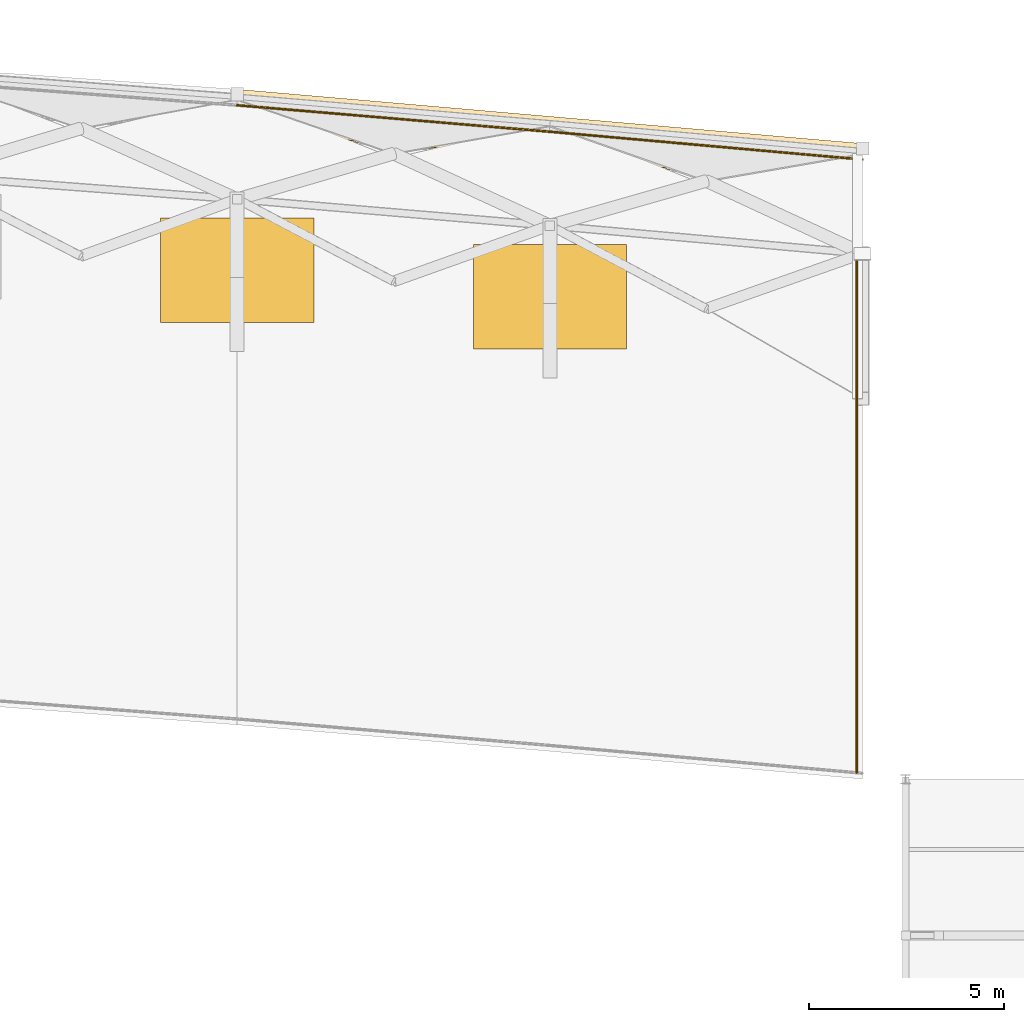
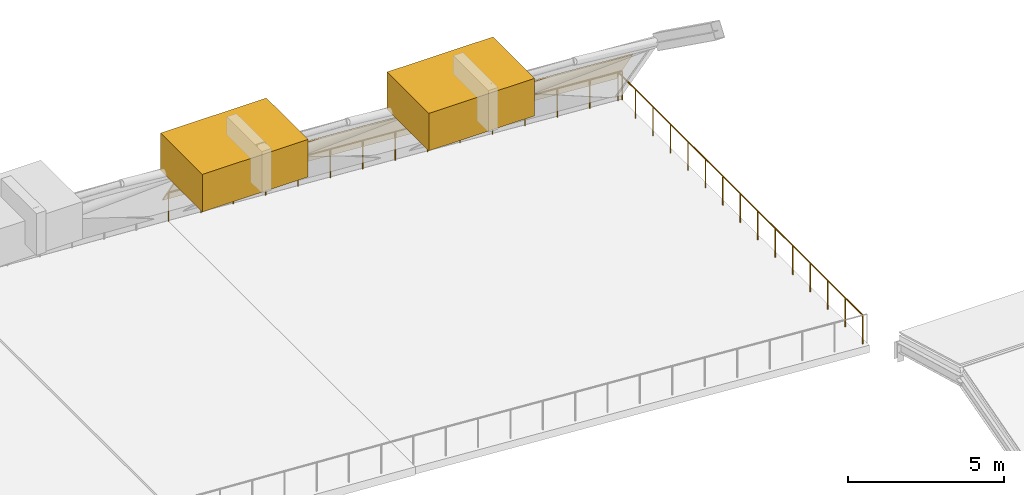
# One storey, part 67 of 67: 2 railings, 2 shading devices, 1 covering.
"""IFC4 building model written with IfcOpenShell, lengths in metres."""

from ifc_helpers import new_model, si_unit, direction, frame, origin, origin_2d, place, context, subcontext, project, spatial, polyline, rectangle, circle, outline, extrude, material, layer, layer_set, type_object, element, save


model = new_model("IFC4")

# Units and contexts
model_context = context("Model", 3, precision=1e-05, world=origin(), true_north=direction((0.0, 1.0)))
body_context = subcontext(model_context, "Body", "Model", "MODEL_VIEW")
ifc_project = project(units=[si_unit("LENGTHUNIT", "METRE"), si_unit("AREAUNIT", "SQUARE_METRE"), si_unit("VOLUMEUNIT", "CUBIC_METRE"), si_unit("PLANEANGLEUNIT", "RADIAN"), si_unit("MASSUNIT", "GRAM", prefix="KILO")], contexts=[model_context])

# Site, building, storey
site_placement = place(None, origin())
site = spatial("IfcSite", under=ifc_project, at=site_placement, CompositionType="ELEMENT")
building_placement = place(site_placement, origin())
building = spatial("IfcBuilding", under=site, at=building_placement, Name="Kenh Van Central Station", CompositionType="ELEMENT")
storey_placement = place(building_placement, frame((0.0, 0.0, 10.800048828125)))
storey = spatial("IfcBuildingStorey", under=building, at=storey_placement, Name="L02", CompositionType="ELEMENT", Elevation=10.800048828125)

# Covering
ifc_material_1 = material(Name="Standing-seam zinc-aluminium roofing", Category="aluminium")
ifc_layer = layer(ifc_material_1, 0.044921875, Name="Standing-seam zinc-aluminium roofing")
ifc_layer_set = layer_set([ifc_layer], Name="Standing-seam zinc-aluminium roofing")
covering_type = type_object("IfcCoveringType", Name="COV-ROOF-SEAM", PredefinedType="ROOFING", material=ifc_layer_set)
covering_placement = place(storey_placement, frame((128.0, 112.5927734375, 2.193603515625), z_axis=(0.071946943803, 0.829104081069, 0.554445723251), x_axis=(0.996256030684, -0.086451843971, 0.0)))
element("IfcCovering", 1, at=covering_placement, inside=storey, type_object=covering_type, Name="Train shed springing curb roofing N7", PredefinedType="ROOFING", context=body_context, shape_type="SweptSolid", body=[
    extrude(outline(polyline([(0.0, 0.0), (16.06012862879939, -1.1102230246251565e-16), (15.968864523982095, 1.896870414067549), (-0.09126410481729474, 1.896870414067549), (0.0, 0.0)])), origin(), (0.0, 0.0, -1.0), 0.044921875),
])

# Railings
ifc_material_2 = material(Name="Champagne anodised aluminium", Category="aluminium")
railing_type = type_object("IfcRailingType", Name="RAIL-TERR-GRD115", PredefinedType="GUARDRAIL", material=ifc_material_2)
railing_1_placement = place(storey_placement, frame((128.0, 113.23828125, 0.0)))
element("IfcRailing", 2, at=railing_1_placement, inside=storey, type_object=railing_type, Name="L02 platform perimeter guardrail 28", PredefinedType="GUARDRAIL", context=body_context, shape_type="SweptSolid", body=[
    extrude(circle(Radius=0.02392578125, at=origin_2d()), frame((0.0, 0.0, 1.1259765625), z_axis=(0.996446063383, -0.084233264025, 0.0), x_axis=(0.084233264025, 0.996446063383, 0.0)), (0.0, 0.0, 1.0), 8.028564453125),
    extrude(circle(Radius=0.02392578125, at=origin_2d()), frame((8.0, -0.67626953125, 1.1259765625), z_axis=(0.996063818854, -0.088638979974, 0.0), x_axis=(0.088638979974, 0.996063818854, 0.0)), (0.0, 0.0, 1.0), 8.031494140625),
    extrude(circle(Radius=0.02099609375, at=origin_2d()), origin(), (0.0, 0.0, 1.0), 1.101806640625),
    extrude(circle(Radius=0.02099609375, at=origin_2d()), frame((1.142822265625, -0.0966796875, 0.0)), (0.0, 0.0, 1.0), 1.101806640625),
    extrude(circle(Radius=0.02099609375, at=origin_2d()), frame((2.28564453125, -0.193115234375, 0.0)), (0.0, 0.0, 1.0), 1.101806640625),
    extrude(circle(Radius=0.02099609375, at=origin_2d()), frame((3.428466796875, -0.289794921875, 0.0)), (0.0, 0.0, 1.0), 1.101806640625),
    extrude(circle(Radius=0.02099609375, at=origin_2d()), frame((4.571533203125, -0.386474609375, 0.0)), (0.0, 0.0, 1.0), 1.101806640625),
    extrude(circle(Radius=0.02099609375, at=origin_2d()), frame((5.71435546875, -0.483154296875, 0.0)), (0.0, 0.0, 1.0), 1.101806640625),
    extrude(circle(Radius=0.02099609375, at=origin_2d()), frame((6.857177734375, -0.57958984375, 0.0)), (0.0, 0.0, 1.0), 1.101806640625),
    extrude(circle(Radius=0.02099609375, at=origin_2d()), frame((8.0, -0.67626953125, 0.0)), (0.0, 0.0, 1.0), 1.101806640625),
    extrude(circle(Radius=0.02099609375, at=origin_2d()), frame((9.142822265625, -0.778076171875, 0.0)), (0.0, 0.0, 1.0), 1.101806640625),
    extrude(circle(Radius=0.02099609375, at=origin_2d()), frame((10.28564453125, -0.879638671875, 0.0)), (0.0, 0.0, 1.0), 1.101806640625),
    extrude(circle(Radius=0.02099609375, at=origin_2d()), frame((11.428466796875, -0.9814453125, 0.0)), (0.0, 0.0, 1.0), 1.101806640625),
    extrude(circle(Radius=0.02099609375, at=origin_2d()), frame((12.571533203125, -1.0830078125, 0.0)), (0.0, 0.0, 1.0), 1.101806640625),
    extrude(circle(Radius=0.02099609375, at=origin_2d()), frame((13.71435546875, -1.184814453125, 0.0)), (0.0, 0.0, 1.0), 1.101806640625),
    extrude(circle(Radius=0.02099609375, at=origin_2d()), frame((14.857177734375, -1.286376953125, 0.0)), (0.0, 0.0, 1.0), 1.101806640625),
    extrude(circle(Radius=0.02099609375, at=origin_2d()), frame((16.0, -1.38818359375, 0.0)), (0.0, 0.0, 1.0), 1.101806640625),
])
railing_2_placement = place(storey_placement, frame((143.85009765625, 96.16357421875, 0.0)))
element("IfcRailing", 3, at=railing_2_placement, inside=storey, type_object=railing_type, Name="L02 platform end guardrail 32", PredefinedType="GUARDRAIL", context=body_context, shape_type="SweptSolid", body=[
    extrude(circle(Radius=0.02392578125, at=origin_2d()), frame((0.0, 0.0, 1.1259765625), z_axis=(0.0, 1.0, 0.0), x_axis=(-1.0, 0.0, 0.0)), (0.0, 0.0, 1.0), 15.699951171875),
    extrude(circle(Radius=0.02099609375, at=origin_2d()), origin(), (0.0, 0.0, 1.0), 1.101806640625),
    extrude(circle(Radius=0.02099609375, at=origin_2d()), frame((0.0, 1.121337890625, 0.0)), (0.0, 0.0, 1.0), 1.101806640625),
    extrude(circle(Radius=0.02099609375, at=origin_2d()), frame((0.0, 2.242919921875, 0.0)), (0.0, 0.0, 1.0), 1.101806640625),
    extrude(circle(Radius=0.02099609375, at=origin_2d()), frame((0.0, 3.3642578125, 0.0)), (0.0, 0.0, 1.0), 1.101806640625),
    extrude(circle(Radius=0.02099609375, at=origin_2d()), frame((0.0, 4.485595703125, 0.0)), (0.0, 0.0, 1.0), 1.101806640625),
    extrude(circle(Radius=0.02099609375, at=origin_2d()), frame((0.0, 5.607177734375, 0.0)), (0.0, 0.0, 1.0), 1.101806640625),
    extrude(circle(Radius=0.02099609375, at=origin_2d()), frame((0.0, 6.728515625, 0.0)), (0.0, 0.0, 1.0), 1.101806640625),
    extrude(circle(Radius=0.02099609375, at=origin_2d()), frame((0.0, 7.85009765625, 0.0)), (0.0, 0.0, 1.0), 1.101806640625),
    extrude(circle(Radius=0.02099609375, at=origin_2d()), frame((0.0, 8.971435546875, 0.0)), (0.0, 0.0, 1.0), 1.101806640625),
    extrude(circle(Radius=0.02099609375, at=origin_2d()), frame((0.0, 10.0927734375, 0.0)), (0.0, 0.0, 1.0), 1.101806640625),
    extrude(circle(Radius=0.02099609375, at=origin_2d()), frame((0.0, 11.21435546875, 0.0)), (0.0, 0.0, 1.0), 1.101806640625),
    extrude(circle(Radius=0.02099609375, at=origin_2d()), frame((0.0, 12.335693359375, 0.0)), (0.0, 0.0, 1.0), 1.101806640625),
    extrude(circle(Radius=0.02099609375, at=origin_2d()), frame((0.0, 13.45703125, 0.0)), (0.0, 0.0, 1.0), 1.101806640625),
    extrude(circle(Radius=0.02099609375, at=origin_2d()), frame((0.0, 14.57861328125, 0.0)), (0.0, 0.0, 1.0), 1.101806640625),
    extrude(circle(Radius=0.02099609375, at=origin_2d()), frame((0.0, 15.699951171875, 0.0)), (0.0, 0.0, 1.0), 1.101806640625),
])

# Shading devices
shading_device_type = type_object("IfcShadingDeviceType", Name="SHD-LOUVRE-JAL", PredefinedType="JALOUSIE", material=ifc_material_2)
for number, where, z_axis, x_axis, name in (
    (4, (128.0, 109.0166015625, 4.421875), (0.0, 0.0, 1.0), (1.0, 0.0, 0.0), "Vault monsoon ventilation louvre 48"),
    (5, (136.0, 108.34228515625, 4.421875), (0.0, 0.0, 1.0), (1.0, 0.0, 0.0), "Vault monsoon ventilation louvre 53"),
):
    element("IfcShadingDevice", number, at=place(storey_placement, frame(where, z_axis=z_axis, x_axis=x_axis)), inside=storey, type_object=shading_device_type, Name=name, PredefinedType="JALOUSIE", context=body_context, shape_type="SweptSolid", body=[
        extrude(rectangle(XDim=3.919921875, YDim=2.67626953125, at=origin_2d()), origin(), (0.0, 0.0, 1.0), 1.466796875),
    ])

save(model, "model.ifc")
